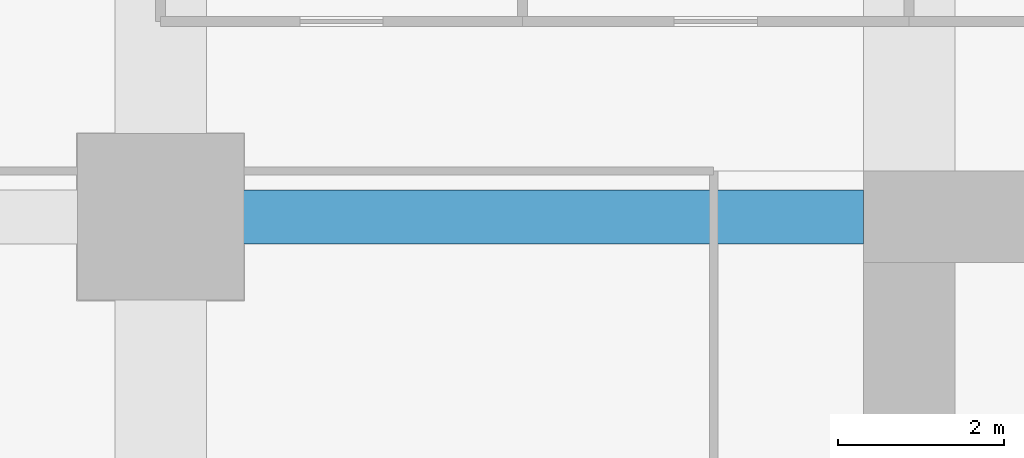
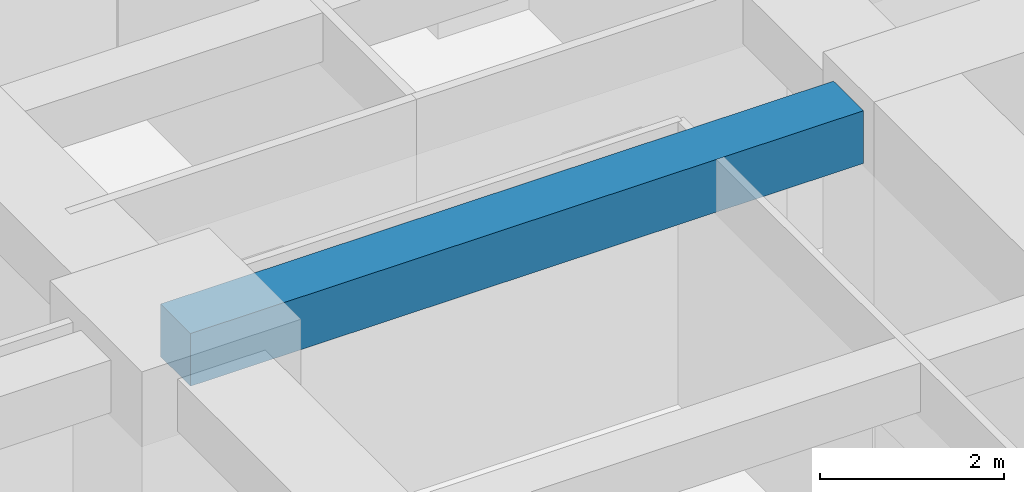
# One storey, part 25 of 40: 1 beam.
"""IFC4 building model written with IfcOpenShell, lengths in metres."""

from ifc_helpers import new_model, si_unit, direction, frame, origin, origin_2d, place, context, subcontext, project, spatial, rectangle, extrude, material, material_profile, profile_set, type_object, element, save


model = new_model("IFC4")

# Units and contexts
model_context = context("Model", 3, precision=1e-05, world=origin(), true_north=direction((0.0, 1.0)))
body_context = subcontext(model_context, "Body", "Model", "MODEL_VIEW")
ifc_project = project(units=[si_unit("LENGTHUNIT", "METRE"), si_unit("AREAUNIT", "SQUARE_METRE"), si_unit("VOLUMEUNIT", "CUBIC_METRE"), si_unit("PLANEANGLEUNIT", "RADIAN"), si_unit("MASSUNIT", "GRAM", prefix="KILO")], contexts=[model_context])

# Site, building, storey
site_placement = place(None, origin())
site = spatial("IfcSite", under=ifc_project, at=site_placement, CompositionType="ELEMENT")
building_placement = place(site_placement, origin())
building = spatial("IfcBuilding", under=site, at=building_placement, Name="Zorevar Civic Tower", CompositionType="ELEMENT")
storey_placement = place(building_placement, frame((0.0, 0.0, 93.0)))
storey = spatial("IfcBuildingStorey", under=building, at=storey_placement, Name="L22", CompositionType="ELEMENT", Elevation=93.0)

# Beam
ifc_material = material(Name="Concrete C50/60", Category="concrete")
ifc_material_profile = material_profile(ifc_material, rectangle(XDim=0.64990234375, YDim=0.699951171875, at=origin_2d()), Name="RC 650x700")
ifc_profile_set = profile_set([ifc_material_profile], Name="Concrete C50/60")
beam_type = type_object("IfcBeamType", Name="Beam RC 650x700", PredefinedType="BEAM", material=ifc_profile_set)
beam_placement = place(storey_placement, frame((9.0, 36.0, 3.39990234375), z_axis=(1.0, 0.0, 0.0), x_axis=(0.0, 1.0, 0.0)))
element("IfcBeam", 1, at=beam_placement, inside=storey, type_object=beam_type, Name="Girder L23", PredefinedType="BEAM", context=body_context, shape_type="SweptSolid", body=[
    extrude(rectangle(XDim=0.64990234375, YDim=0.699951171875, at=origin_2d()), origin(), (0.0, 0.0, 1.0), 8.449951171875),
])

save(model, "model.ifc")
